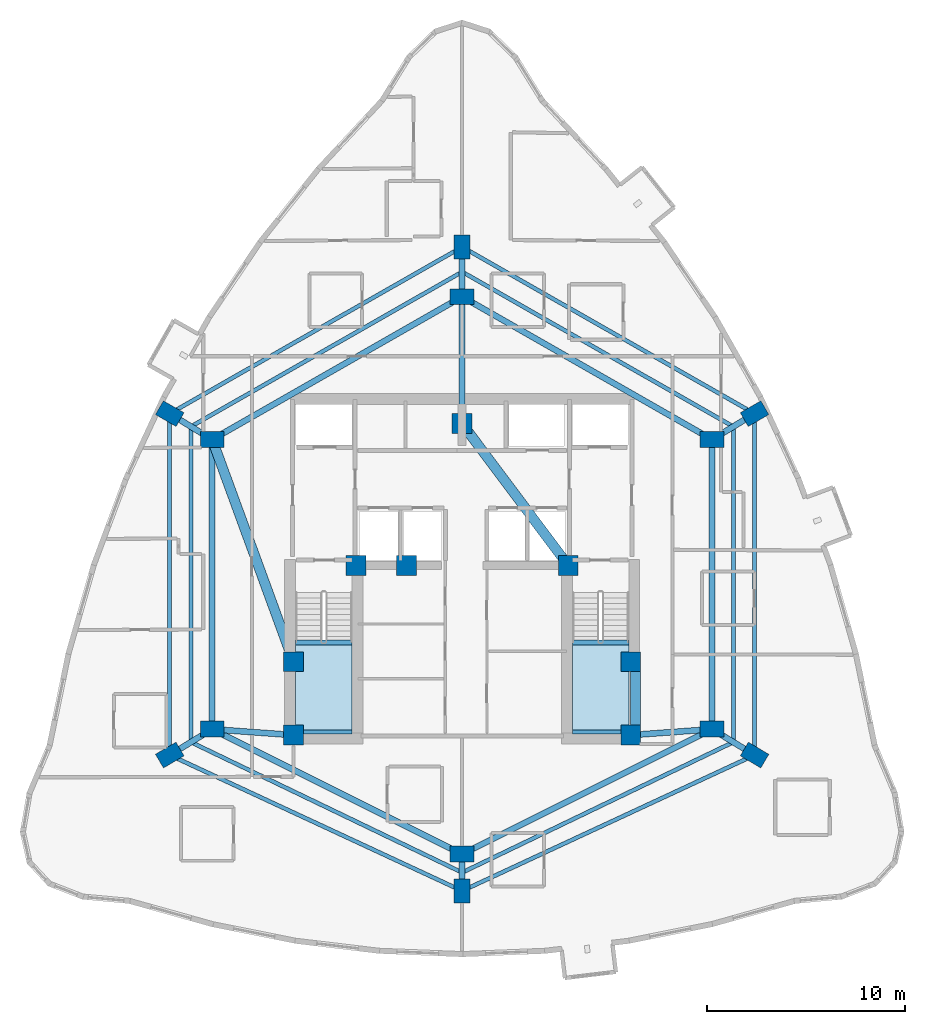
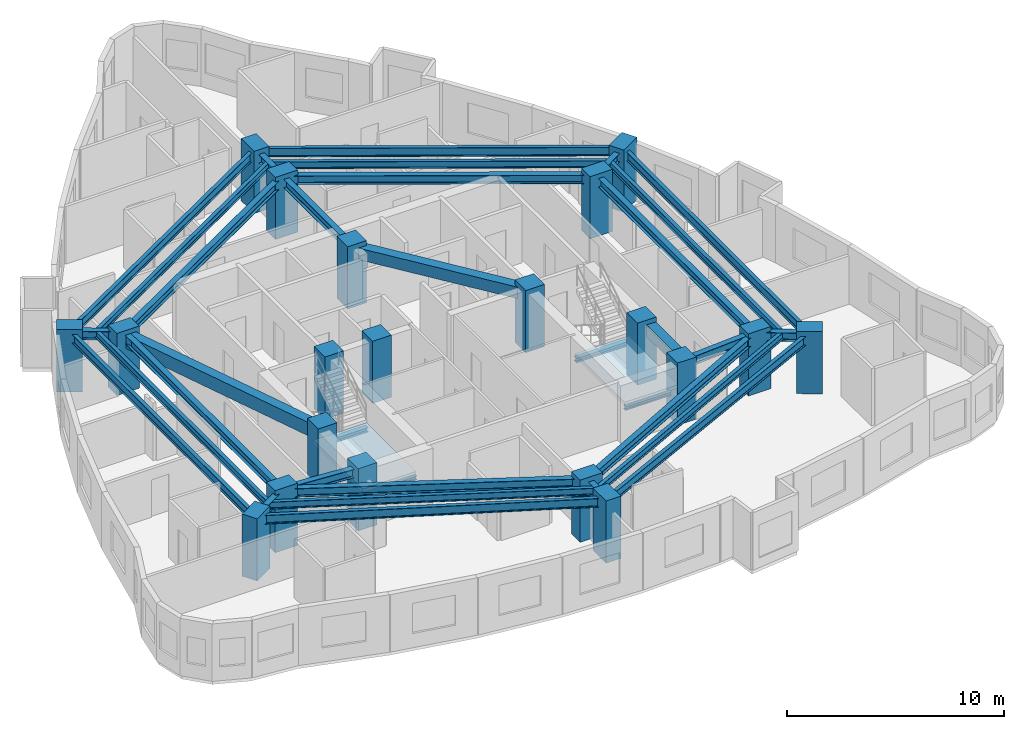
# One storey, part 1 of 12: 34 beams, 20 columns, 2 slabs, 2 elements without a shape of their own.
"""IFC4 building model written with IfcOpenShell, lengths in metres."""

from ifc_helpers import new_model, si_unit, direction, frame, origin, origin_2d, place, context, subcontext, project, spatial, polyline, rectangle, i_section, outline, extrude, material, layer, layer_set, material_profile, profile_set, type_object, element, aggregate, save


model = new_model("IFC4")

# Units and contexts
model_context = context("Model", 3, precision=1e-05, world=origin(), true_north=direction((0.0, 1.0)))
body_context = subcontext(model_context, "Body", "Model", "MODEL_VIEW")
ifc_project = project(units=[si_unit("LENGTHUNIT", "METRE"), si_unit("AREAUNIT", "SQUARE_METRE"), si_unit("VOLUMEUNIT", "CUBIC_METRE"), si_unit("PLANEANGLEUNIT", "RADIAN"), si_unit("MASSUNIT", "GRAM", prefix="KILO")], contexts=[model_context])

# Site, building, storey
site_placement = place(None, origin())
site = spatial("IfcSite", under=ifc_project, at=site_placement, CompositionType="ELEMENT")
building_placement = place(site_placement, origin())
building = spatial("IfcBuilding", under=site, at=building_placement, Name="Miruveldt Soraemaru", CompositionType="ELEMENT")
storey_placement = place(building_placement, frame((0.0, 0.0, 107.39990234375)))
storey = spatial("IfcBuildingStorey", under=building, at=storey_placement, Name="L29", CompositionType="ELEMENT", Elevation=107.39990234375)

# Columns
ifc_material_1 = material(Name="Concrete C60/75 (60 MPa)", Category="concrete")
ifc_material_profile_1 = material_profile(ifc_material_1, rectangle(XDim=1.0, YDim=1.0, at=origin_2d()), Name="Concrete C60/75 (60 MPa)", Category="concrete")
ifc_profile_set_1 = profile_set([ifc_material_profile_1], Name="Concrete C60/75 (60 MPa)")
column_type_1 = type_object("IfcColumnType", Name="COL-CORE-1000", PredefinedType="COLUMN", material=ifc_profile_set_1)
for number, where, z_axis, x_axis, name in (
    (1, (35.5, 35.5, 0.0), (0.0, 0.0, 1.0), (1.0, 0.0, 0.0), "L29 Structural Column CC1"),
    (2, (38.64990234375, 44.050048828125, 0.0), (0.0, 0.0, 1.0), (1.0, 0.0, 0.0), "L29 Structural Column CC2"),
    (3, (52.5, 35.5, 0.0), (0.0, 0.0, 1.0), (1.0, 0.0, 0.0), "L29 Structural Column CC3"),
    (4, (52.5, 39.199951171875, 0.0), (0.0, 0.0, 1.0), (1.0, 0.0, 0.0), "L29 Structural Column CC4"),
    (5, (49.35009765625, 44.050048828125, 0.0), (0.0, 0.0, 1.0), (1.0, 0.0, 0.0), "L29 Structural Column CC5"),
    (6, (44.0, 51.199951171875, 0.0), (0.0, 0.0, 1.0), (1.0, 0.0, 0.0), "L29 Structural Column CC6"),
    (7, (35.5, 39.199951171875, 0.0), (0.0, 0.0, 1.0), (1.0, 0.0, 0.0), "L29 Structural Column CC7"),
    (8, (41.199951171875, 44.050048828125, 0.0), (0.0, 0.0, 1.0), (1.0, 0.0, 0.0), "L29 Structural Column CC8"),
):
    element("IfcColumn", number, at=place(storey_placement, frame(where, z_axis=z_axis, x_axis=x_axis)), inside=storey, type_object=column_type_1, Name=name, PredefinedType="COLUMN", context=body_context, shape_type="SweptSolid", body=[
        extrude(rectangle(XDim=1.0, YDim=1.0, at=origin_2d()), origin(), (0.0, 0.0, 1.0), 3.5),
    ])
ifc_material_2 = material(Name="Concrete C70/85 (70 MPa)", Category="concrete")
ifc_material_profile_2 = material_profile(ifc_material_2, rectangle(XDim=1.199951171875, YDim=0.800048828125, at=origin_2d()), Name="Concrete C70/85 (70 MPa)", Category="concrete")
ifc_profile_set_2 = profile_set([ifc_material_profile_2], Name="Concrete C70/85 (70 MPa)")
column_type_2 = type_object("IfcColumnType", Name="COL-TW-Z2", PredefinedType="COLUMN", material=ifc_profile_set_2)
for number, where, z_axis, x_axis, name in (
    (9, (44.0, 57.60009765625, 0.0), (0.0, 0.0, 1.0), (1.0, 0.0, 0.0), "L29 Structural Column IR01"),
    (10, (56.60009765625, 50.39990234375, 0.0), (0.0, 0.0, 1.0), (1.0, 0.0, 0.0), "L29 Structural Column IR02"),
    (11, (56.60009765625, 35.800048828125, 0.0), (0.0, 0.0, 1.0), (1.0, 0.0, 0.0), "L29 Structural Column IR03"),
    (12, (44.0, 29.5, 0.0), (0.0, 0.0, 1.0), (1.0, 0.0, 0.0), "L29 Structural Column IR04"),
    (13, (31.39990234375, 35.800048828125, 0.0), (0.0, 0.0, 1.0), (1.0, 0.0, 0.0), "L29 Structural Column IR05"),
    (14, (31.39990234375, 50.39990234375, 0.0), (0.0, 0.0, 1.0), (1.0, 0.0, 0.0), "L29 Structural Column IR06"),
    (15, (44.0, 60.10595703125, 0.0), (0.0, 0.0, 1.0), (0.0, 1.0, 0.0), "L29 Structural Column Z2P01"),
    (16, (58.739990234375, 51.705078125, 0.0), (0.0, 0.0, 1.0), (0.866025403784, 0.5, 0.0), "L29 Structural Column Z2P02"),
    (17, (58.739990234375, 34.4951171875, 0.0), (0.0, 0.0, 1.0), (-0.860742027004, 0.50904141575, 0.0), "L29 Structural Column Z2P03"),
    (18, (44.0, 27.64697265625, 0.0), (0.0, 0.0, 1.0), (0.0, 1.0, 0.0), "L29 Structural Column Z2P04"),
    (19, (29.260009765625, 34.4951171875, 0.0), (0.0, 0.0, 1.0), (0.860742027004, 0.50904141575, 0.0), "L29 Structural Column Z2P05"),
    (20, (29.260009765625, 51.705078125, 0.0), (0.0, 0.0, 1.0), (-0.866025403784, 0.5, 0.0), "L29 Structural Column Z2P06"),
):
    element("IfcColumn", number, at=place(storey_placement, frame(where, z_axis=z_axis, x_axis=x_axis)), inside=storey, type_object=column_type_2, Name=name, PredefinedType="COLUMN", context=body_context, shape_type="SweptSolid", body=[
        extrude(rectangle(XDim=1.199951171875, YDim=0.800048828125, at=origin_2d()), origin(), (0.0, 0.0, 1.0), 3.5),
    ])

# Beams
ifc_material_3 = material(Name="Concrete C50/60 (50 MPa)", Category="concrete")
ifc_material_profile_3 = material_profile(ifc_material_3, rectangle(XDim=0.5, YDim=0.64990234375, at=origin_2d()), Name="Concrete C50/60 (50 MPa)", Category="concrete")
ifc_profile_set_3 = profile_set([ifc_material_profile_3], Name="Concrete C50/60 (50 MPa)")
beam_type_1 = type_object("IfcBeamType", Name="BM-RC-500x650", PredefinedType="BEAM", material=ifc_profile_set_3)
beam_1_placement = place(storey_placement, frame((52.72998046875, 35.5, 2.91015625), z_axis=(0.0, 1.0, 0.0), x_axis=(-1.0, 0.0, 0.0)))
element("IfcBeam", 21, at=beam_1_placement, inside=storey, type_object=beam_type_1, Name="L29 Core Tie Beam 3", PredefinedType="BEAM", context=body_context, shape_type="SweptSolid", body=[
    extrude(rectangle(XDim=0.5, YDim=0.64990234375, at=origin_2d()), origin(), (0.0, 0.0, 1.0), 3.699951171875),
])
beam_2_placement = place(storey_placement, frame((49.35009765625, 44.050048828125, 2.91015625), z_axis=(-0.599116023999, 0.800662219533, 0.0), x_axis=(-0.800662219533, -0.599116023999, 0.0)))
element("IfcBeam", 22, at=beam_2_placement, inside=storey, type_object=beam_type_1, Name="L29 Core Tie Beam 5", PredefinedType="BEAM", context=body_context, shape_type="SweptSolid", body=[
    extrude(rectangle(XDim=0.5, YDim=0.64990234375, at=origin_2d()), origin(), (0.0, 0.0, 1.0), 8.929931640625),
])
ifc_material_4 = material(Name="Concrete C40/50 (40 MPa)", Category="concrete")
ifc_material_profile_4 = material_profile(ifc_material_4, rectangle(XDim=0.5, YDim=0.75, at=origin_2d()), Name="Concrete C40/50 (40 MPa)", Category="concrete")
ifc_profile_set_4 = profile_set([ifc_material_profile_4], Name="Concrete C40/50 (40 MPa)")
beam_type_2 = type_object("IfcBeamType", Name="BM-RC-500x750", PredefinedType="LINTEL", material=ifc_profile_set_4)
beam_3_placement = place(storey_placement, frame((31.39990234375, 50.39990234375, 2.860107421875), z_axis=(0.343770424598, -0.939053723262, 0.0), x_axis=(0.939053723262, 0.343770424598, 0.0)))
element("IfcBeam", 23, at=beam_3_placement, inside=storey, type_object=beam_type_2, Name="L29 West Lobby Lintel", PredefinedType="LINTEL", context=body_context, shape_type="SweptSolid", body=[
    extrude(rectangle(XDim=0.5, YDim=0.75, at=origin_2d()), origin(), (0.0, 0.0, 1.0), 11.9267578125),
])
ifc_material_5 = material(Name="Steel SM355 (355 MPa)", Category="steel")
ifc_material_profile_5 = material_profile(ifc_material_5, i_section(OverallWidth=0.199951171875, OverallDepth=0.39990234375, WebThickness=0.008056640625, FlangeThickness=0.012939453125, FilletRadius=0.01611328125, at=origin_2d()), Name="Steel SM355 (355 MPa)", Category="steel")
ifc_profile_set_5 = profile_set([ifc_material_profile_5], Name="Steel SM355 (355 MPa)")
beam_type_3 = type_object("IfcBeamType", Name="BM-ST-H400", PredefinedType="JOIST", material=ifc_profile_set_5)
beam_4_placement = place(storey_placement, frame((44.0, 58.85302734375, 3.03515625), z_axis=(0.868539859756, -0.495619321672, 0.0), x_axis=(0.495619321672, 0.868539859756, 0.0)))
element("IfcBeam", 24, at=beam_4_placement, inside=storey, type_object=beam_type_3, Name="L29 Outer Bay Floor Joist 1", PredefinedType="JOIST", context=body_context, shape_type="SweptSolid", body=[
    extrude(i_section(OverallWidth=0.199951171875, OverallDepth=0.39990234375, WebThickness=0.008056640625, FlangeThickness=0.012939453125, FilletRadius=0.01611328125, at=origin_2d()), origin(), (0.0, 0.0, 1.0), 15.739013671875),
])
beam_5_placement = place(storey_placement, frame((57.669921875, 51.052490234375, 3.03515625), z_axis=(0.0, -1.0, 0.0), x_axis=(1.0, 0.0, 0.0)))
element("IfcBeam", 25, at=beam_5_placement, inside=storey, type_object=beam_type_3, Name="L29 Outer Bay Floor Joist 2", PredefinedType="JOIST", context=body_context, shape_type="SweptSolid", body=[
    extrude(i_section(OverallWidth=0.199951171875, OverallDepth=0.39990234375, WebThickness=0.008056640625, FlangeThickness=0.012939453125, FilletRadius=0.01611328125, at=origin_2d()), origin(), (0.0, 0.0, 1.0), 15.905029296875),
])
for number, where, z_axis, x_axis, name in (
    (26, (57.669921875, 35.1474609375, 3.03515625), (-0.901203586802, -0.433396002676, 0.0), (0.433396002676, -0.901203586802, 0.0), "L29 Outer Bay Floor Joist 3"),
    (27, (44.0, 28.573486328125, 3.03515625), (-0.901203586802, 0.433396002676, 0.0), (-0.433396002676, -0.901203586802, 0.0), "L29 Outer Bay Floor Joist 4"),
):
    element("IfcBeam", number, at=place(storey_placement, frame(where, z_axis=z_axis, x_axis=x_axis)), inside=storey, type_object=beam_type_3, Name=name, PredefinedType="JOIST", context=body_context, shape_type="SweptSolid", body=[
        extrude(i_section(OverallWidth=0.199951171875, OverallDepth=0.39990234375, WebThickness=0.008056640625, FlangeThickness=0.012939453125, FilletRadius=0.01611328125, at=origin_2d()), origin(), (0.0, 0.0, 1.0), 15.16845703125),
    ])
beam_6_placement = place(storey_placement, frame((30.330078125, 35.1474609375, 3.03515625), z_axis=(0.0, 1.0, 0.0), x_axis=(-1.0, 0.0, 0.0)))
element("IfcBeam", 28, at=beam_6_placement, inside=storey, type_object=beam_type_3, Name="L29 Outer Bay Floor Joist 5", PredefinedType="JOIST", context=body_context, shape_type="SweptSolid", body=[
    extrude(i_section(OverallWidth=0.199951171875, OverallDepth=0.39990234375, WebThickness=0.008056640625, FlangeThickness=0.012939453125, FilletRadius=0.01611328125, at=origin_2d()), origin(), (0.0, 0.0, 1.0), 15.905029296875),
])
beam_7_placement = place(storey_placement, frame((30.330078125, 51.052490234375, 3.03515625), z_axis=(0.868539859756, 0.495619321672, 0.0), x_axis=(-0.495619321672, 0.868539859756, 0.0)))
element("IfcBeam", 29, at=beam_7_placement, inside=storey, type_object=beam_type_3, Name="L29 Outer Bay Floor Joist 6", PredefinedType="JOIST", context=body_context, shape_type="SweptSolid", body=[
    extrude(i_section(OverallWidth=0.199951171875, OverallDepth=0.39990234375, WebThickness=0.008056640625, FlangeThickness=0.012939453125, FilletRadius=0.01611328125, at=origin_2d()), origin(), (0.0, 0.0, 1.0), 15.739013671875),
])
ifc_material_profile_6 = material_profile(ifc_material_5, i_section(OverallWidth=0.300048828125, OverallDepth=0.488037109375, WebThickness=0.010986328125, FlangeThickness=0.01806640625, FilletRadius=0.02587890625, at=origin_2d()), Name="Steel SM355 (355 MPa)", Category="steel")
ifc_profile_set_6 = profile_set([ifc_material_profile_6], Name="Steel SM355 (355 MPa)")
beam_type_4 = type_object("IfcBeamType", Name="BM-ST-H488", PredefinedType="BEAM", material=ifc_profile_set_6)
beam_8_placement = place(storey_placement, frame((44.0, 57.60009765625, 2.9912109375), z_axis=(0.868239001029, -0.496146185203, 0.0), x_axis=(0.496146185203, 0.868239001029, 0.0)))
element("IfcBeam", 30, at=beam_8_placement, inside=storey, type_object=beam_type_4, Name="L29 Inner Ring Girder 1", PredefinedType="BEAM", context=body_context, shape_type="SweptSolid", body=[
    extrude(i_section(OverallWidth=0.300048828125, OverallDepth=0.488037109375, WebThickness=0.010986328125, FlangeThickness=0.01806640625, FilletRadius=0.02587890625, at=origin_2d()), origin(), (0.0, 0.0, 1.0), 14.51220703125),
])
beam_9_placement = place(storey_placement, frame((44.0, 51.199951171875, 2.9912109375), z_axis=(0.0, 1.0, 0.0), x_axis=(-1.0, 0.0, 0.0)))
element("IfcBeam", 31, at=beam_9_placement, inside=storey, type_object=beam_type_4, Name="L29 Core-to-Inner Radial Girder 1", PredefinedType="BEAM", context=body_context, shape_type="SweptSolid", body=[
    extrude(i_section(OverallWidth=0.300048828125, OverallDepth=0.488037109375, WebThickness=0.010986328125, FlangeThickness=0.01806640625, FilletRadius=0.02587890625, at=origin_2d()), origin(), (0.0, 0.0, 1.0), 6.400146484375),
])
beam_10_placement = place(storey_placement, frame((56.60009765625, 50.39990234375, 2.9912109375), z_axis=(0.0, -1.0, 0.0), x_axis=(1.0, 0.0, 0.0)))
element("IfcBeam", 32, at=beam_10_placement, inside=storey, type_object=beam_type_4, Name="L29 Inner Ring Girder 2", PredefinedType="BEAM", context=body_context, shape_type="SweptSolid", body=[
    extrude(i_section(OverallWidth=0.300048828125, OverallDepth=0.488037109375, WebThickness=0.010986328125, FlangeThickness=0.01806640625, FilletRadius=0.02587890625, at=origin_2d()), origin(), (0.0, 0.0, 1.0), 14.599853515625),
])
beam_11_placement = place(storey_placement, frame((56.60009765625, 35.800048828125, 2.9912109375), z_axis=(-0.894427191, -0.4472135955, 0.0), x_axis=(0.4472135955, -0.894427191, 0.0)))
element("IfcBeam", 33, at=beam_11_placement, inside=storey, type_object=beam_type_4, Name="L29 Inner Ring Girder 3", PredefinedType="BEAM", context=body_context, shape_type="SweptSolid", body=[
    extrude(i_section(OverallWidth=0.300048828125, OverallDepth=0.488037109375, WebThickness=0.010986328125, FlangeThickness=0.01806640625, FilletRadius=0.02587890625, at=origin_2d()), origin(), (0.0, 0.0, 1.0), 14.08740234375),
])
beam_12_placement = place(storey_placement, frame((52.5, 35.5, 2.9912109375), z_axis=(0.997332985605, 0.072985723431, 0.0), x_axis=(-0.072985723431, 0.997332985605, 0.0)))
element("IfcBeam", 34, at=beam_12_placement, inside=storey, type_object=beam_type_4, Name="L29 Core-to-Inner Radial Girder 3", PredefinedType="BEAM", context=body_context, shape_type="SweptSolid", body=[
    extrude(i_section(OverallWidth=0.300048828125, OverallDepth=0.488037109375, WebThickness=0.010986328125, FlangeThickness=0.01806640625, FilletRadius=0.02587890625, at=origin_2d()), origin(), (0.0, 0.0, 1.0), 4.111083984375),
])
beam_13_placement = place(storey_placement, frame((44.0, 29.5, 2.9912109375), z_axis=(-0.894427191, 0.4472135955, 0.0), x_axis=(-0.4472135955, -0.894427191, 0.0)))
element("IfcBeam", 35, at=beam_13_placement, inside=storey, type_object=beam_type_4, Name="L29 Inner Ring Girder 4", PredefinedType="BEAM", context=body_context, shape_type="SweptSolid", body=[
    extrude(i_section(OverallWidth=0.300048828125, OverallDepth=0.488037109375, WebThickness=0.010986328125, FlangeThickness=0.01806640625, FilletRadius=0.02587890625, at=origin_2d()), origin(), (0.0, 0.0, 1.0), 14.08740234375),
])
beam_14_placement = place(storey_placement, frame((31.39990234375, 35.800048828125, 2.9912109375), z_axis=(0.0, 1.0, 0.0), x_axis=(-1.0, 0.0, 0.0)))
element("IfcBeam", 36, at=beam_14_placement, inside=storey, type_object=beam_type_4, Name="L29 Inner Ring Girder 5", PredefinedType="BEAM", context=body_context, shape_type="SweptSolid", body=[
    extrude(i_section(OverallWidth=0.300048828125, OverallDepth=0.488037109375, WebThickness=0.010986328125, FlangeThickness=0.01806640625, FilletRadius=0.02587890625, at=origin_2d()), origin(), (0.0, 0.0, 1.0), 14.599853515625),
])
beam_15_placement = place(storey_placement, frame((35.5, 35.5, 2.9912109375), z_axis=(-0.997332985605, 0.072985723431, 0.0), x_axis=(-0.072985723431, -0.997332985605, 0.0)))
element("IfcBeam", 37, at=beam_15_placement, inside=storey, type_object=beam_type_4, Name="L29 Core-to-Inner Radial Girder 5", PredefinedType="BEAM", context=body_context, shape_type="SweptSolid", body=[
    extrude(i_section(OverallWidth=0.300048828125, OverallDepth=0.488037109375, WebThickness=0.010986328125, FlangeThickness=0.01806640625, FilletRadius=0.02587890625, at=origin_2d()), origin(), (0.0, 0.0, 1.0), 4.111083984375),
])
beam_16_placement = place(storey_placement, frame((31.39990234375, 50.39990234375, 2.9912109375), z_axis=(0.868239001029, 0.496146185203, 0.0), x_axis=(-0.496146185203, 0.868239001029, 0.0)))
element("IfcBeam", 38, at=beam_16_placement, inside=storey, type_object=beam_type_4, Name="L29 Inner Ring Girder 6", PredefinedType="BEAM", context=body_context, shape_type="SweptSolid", body=[
    extrude(i_section(OverallWidth=0.300048828125, OverallDepth=0.488037109375, WebThickness=0.010986328125, FlangeThickness=0.01806640625, FilletRadius=0.02587890625, at=origin_2d()), origin(), (0.0, 0.0, 1.0), 14.51220703125),
])
beam_17_placement = place(storey_placement, frame((44.0, 57.60009765625, 2.9912109375), z_axis=(0.0, 1.0, 0.0), x_axis=(-1.0, 0.0, 0.0)))
element("IfcBeam", 39, at=beam_17_placement, inside=storey, type_object=beam_type_4, Name="L29 Zone-2 Radial Girder 1", PredefinedType="BEAM", context=body_context, shape_type="SweptSolid", body=[
    extrude(i_section(OverallWidth=0.300048828125, OverallDepth=0.488037109375, WebThickness=0.010986328125, FlangeThickness=0.01806640625, FilletRadius=0.02587890625, at=origin_2d()), origin(), (0.0, 0.0, 1.0), 2.505859375),
])
beam_18_placement = place(storey_placement, frame((56.60009765625, 50.39990234375, 2.9912109375), z_axis=(0.85373175529, 0.520713059188, 0.0), x_axis=(-0.520713059188, 0.85373175529, 0.0)))
element("IfcBeam", 40, at=beam_18_placement, inside=storey, type_object=beam_type_4, Name="L29 Zone-2 Radial Girder 2", PredefinedType="BEAM", context=body_context, shape_type="SweptSolid", body=[
    extrude(i_section(OverallWidth=0.300048828125, OverallDepth=0.488037109375, WebThickness=0.010986328125, FlangeThickness=0.01806640625, FilletRadius=0.02587890625, at=origin_2d()), origin(), (0.0, 0.0, 1.0), 2.506591796875),
])
beam_19_placement = place(storey_placement, frame((56.60009765625, 35.800048828125, 2.9912109375), z_axis=(0.853775054686, -0.5206420613, 0.0), x_axis=(0.5206420613, 0.853775054686, 0.0)))
element("IfcBeam", 41, at=beam_19_placement, inside=storey, type_object=beam_type_4, Name="L29 Zone-2 Radial Girder 3", PredefinedType="BEAM", context=body_context, shape_type="SweptSolid", body=[
    extrude(i_section(OverallWidth=0.300048828125, OverallDepth=0.488037109375, WebThickness=0.010986328125, FlangeThickness=0.01806640625, FilletRadius=0.02587890625, at=origin_2d()), origin(), (0.0, 0.0, 1.0), 2.50634765625),
])
beam_20_placement = place(storey_placement, frame((44.0, 29.5, 2.9912109375), z_axis=(0.0, -1.0, 0.0), x_axis=(1.0, 0.0, 0.0)))
element("IfcBeam", 42, at=beam_20_placement, inside=storey, type_object=beam_type_4, Name="L29 Zone-2 Radial Girder 4", PredefinedType="BEAM", context=body_context, shape_type="SweptSolid", body=[
    extrude(i_section(OverallWidth=0.300048828125, OverallDepth=0.488037109375, WebThickness=0.010986328125, FlangeThickness=0.01806640625, FilletRadius=0.02587890625, at=origin_2d()), origin(), (0.0, 0.0, 1.0), 1.85302734375),
])
beam_21_placement = place(storey_placement, frame((31.39990234375, 35.800048828125, 2.9912109375), z_axis=(-0.853775054686, -0.5206420613, 0.0), x_axis=(0.5206420613, -0.853775054686, 0.0)))
element("IfcBeam", 43, at=beam_21_placement, inside=storey, type_object=beam_type_4, Name="L29 Zone-2 Radial Girder 5", PredefinedType="BEAM", context=body_context, shape_type="SweptSolid", body=[
    extrude(i_section(OverallWidth=0.300048828125, OverallDepth=0.488037109375, WebThickness=0.010986328125, FlangeThickness=0.01806640625, FilletRadius=0.02587890625, at=origin_2d()), origin(), (0.0, 0.0, 1.0), 2.50634765625),
])
beam_22_placement = place(storey_placement, frame((31.39990234375, 50.39990234375, 2.9912109375), z_axis=(-0.85373175529, 0.520713059188, 0.0), x_axis=(-0.520713059188, -0.85373175529, 0.0)))
element("IfcBeam", 44, at=beam_22_placement, inside=storey, type_object=beam_type_4, Name="L29 Zone-2 Radial Girder 6", PredefinedType="BEAM", context=body_context, shape_type="SweptSolid", body=[
    extrude(i_section(OverallWidth=0.300048828125, OverallDepth=0.488037109375, WebThickness=0.010986328125, FlangeThickness=0.01806640625, FilletRadius=0.02587890625, at=origin_2d()), origin(), (0.0, 0.0, 1.0), 2.506591796875),
])
ifc_material_profile_7 = material_profile(ifc_material_5, i_section(OverallWidth=0.199951171875, OverallDepth=0.5, WebThickness=0.010009765625, FlangeThickness=0.01611328125, FilletRadius=0.02001953125, at=origin_2d()), Name="Steel SM355 (355 MPa)", Category="steel")
ifc_profile_set_7 = profile_set([ifc_material_profile_7], Name="Steel SM355 (355 MPa)")
beam_type_5 = type_object("IfcBeamType", Name="BM-ST-H500", PredefinedType="SPANDREL", material=ifc_profile_set_7)
beam_23_placement = place(storey_placement, frame((44.0, 60.10595703125, 2.985107421875), z_axis=(0.86880048516, -0.495162313778, 0.0), x_axis=(0.495162313778, 0.86880048516, 0.0)))
element("IfcBeam", 45, at=beam_23_placement, inside=storey, type_object=beam_type_5, Name="L29 Zone-2 Spandrel Beam 1", PredefinedType="SPANDREL", context=body_context, shape_type="SweptSolid", body=[
    extrude(i_section(OverallWidth=0.199951171875, OverallDepth=0.5, WebThickness=0.010009765625, FlangeThickness=0.01611328125, FilletRadius=0.02001953125, at=origin_2d()), origin(), (0.0, 0.0, 1.0), 16.9658203125),
])
beam_24_placement = place(storey_placement, frame((58.739990234375, 51.705078125, 2.985107421875), z_axis=(0.0, -1.0, 0.0), x_axis=(1.0, 0.0, 0.0)))
element("IfcBeam", 46, at=beam_24_placement, inside=storey, type_object=beam_type_5, Name="L29 Zone-2 Spandrel Beam 2", PredefinedType="SPANDREL", context=body_context, shape_type="SweptSolid", body=[
    extrude(i_section(OverallWidth=0.199951171875, OverallDepth=0.5, WebThickness=0.010009765625, FlangeThickness=0.01611328125, FilletRadius=0.02001953125, at=origin_2d()), origin(), (0.0, 0.0, 1.0), 17.2099609375),
])
for number, where, z_axis, x_axis, name in (
    (47, (58.739990234375, 34.4951171875, 2.985107421875), (-0.906901362829, -0.421342993414, 0.0), (0.421342993414, -0.906901362829, 0.0), "L29 Zone-2 Spandrel Beam 3"),
    (48, (44.0, 27.64697265625, 2.985107421875), (-0.906901362829, 0.421342993414, 0.0), (-0.421342993414, -0.906901362829, 0.0), "L29 Zone-2 Spandrel Beam 4"),
):
    element("IfcBeam", number, at=place(storey_placement, frame(where, z_axis=z_axis, x_axis=x_axis)), inside=storey, type_object=beam_type_5, Name=name, PredefinedType="SPANDREL", context=body_context, shape_type="SweptSolid", body=[
        extrude(i_section(OverallWidth=0.199951171875, OverallDepth=0.5, WebThickness=0.010009765625, FlangeThickness=0.01611328125, FilletRadius=0.02001953125, at=origin_2d()), origin(), (0.0, 0.0, 1.0), 16.253173828125),
    ])
beam_25_placement = place(storey_placement, frame((29.260009765625, 34.4951171875, 2.985107421875), z_axis=(0.0, 1.0, 0.0), x_axis=(-1.0, 0.0, 0.0)))
element("IfcBeam", 49, at=beam_25_placement, inside=storey, type_object=beam_type_5, Name="L29 Zone-2 Spandrel Beam 5", PredefinedType="SPANDREL", context=body_context, shape_type="SweptSolid", body=[
    extrude(i_section(OverallWidth=0.199951171875, OverallDepth=0.5, WebThickness=0.010009765625, FlangeThickness=0.01611328125, FilletRadius=0.02001953125, at=origin_2d()), origin(), (0.0, 0.0, 1.0), 17.2099609375),
])
beam_26_placement = place(storey_placement, frame((29.260009765625, 51.705078125, 2.985107421875), z_axis=(0.86880048516, 0.495162313778, 0.0), x_axis=(-0.495162313778, 0.86880048516, 0.0)))
element("IfcBeam", 50, at=beam_26_placement, inside=storey, type_object=beam_type_5, Name="L29 Zone-2 Spandrel Beam 6", PredefinedType="SPANDREL", context=body_context, shape_type="SweptSolid", body=[
    extrude(i_section(OverallWidth=0.199951171875, OverallDepth=0.5, WebThickness=0.010009765625, FlangeThickness=0.01611328125, FilletRadius=0.02001953125, at=origin_2d()), origin(), (0.0, 0.0, 1.0), 16.9658203125),
])
ifc_material_profile_8 = material_profile(ifc_material_5, i_section(OverallWidth=0.199951171875, OverallDepth=0.199951171875, WebThickness=0.008056640625, FlangeThickness=0.011962890625, FilletRadius=0.012939453125, at=origin_2d()), Name="Steel SM355 (355 MPa)", Category="steel")
ifc_profile_set_8 = profile_set([ifc_material_profile_8], Name="Steel SM355 (355 MPa)")
beam_type_6 = type_object("IfcBeamType", Name="BM-ST-LND200", PredefinedType="BEAM", material=ifc_profile_set_8)
for number, where, z_axis, x_axis, name in (
    (51, (35.60009765625, 35.64990234375, 1.4501953125), (1.0, 0.0, 0.0), (0.0, 1.0, 0.0), "L29 ST1 Landing End Beam 1B"),
    (52, (49.550048828125, 35.64990234375, 1.4501953125), (1.0, 0.0, 0.0), (0.0, 1.0, 0.0), "L29 ST2 Landing End Beam 1B"),
):
    element("IfcBeam", number, at=place(storey_placement, frame(where, z_axis=z_axis, x_axis=x_axis)), inside=storey, type_object=beam_type_6, Name=name, PredefinedType="BEAM", context=body_context, shape_type="SweptSolid", body=[
        extrude(i_section(OverallWidth=0.199951171875, OverallDepth=0.199951171875, WebThickness=0.008056640625, FlangeThickness=0.011962890625, FilletRadius=0.012939453125, at=origin_2d()), origin(), (0.0, 0.0, 1.0), 2.849853515625),
    ])
ifc_material_profile_9 = material_profile(ifc_material_5, i_section(OverallWidth=0.25, OverallDepth=0.25, WebThickness=0.009033203125, FlangeThickness=0.013916015625, FilletRadius=0.01611328125, at=origin_2d()), Name="Steel SM355 (355 MPa)", Category="steel")
ifc_profile_set_9 = profile_set([ifc_material_profile_9], Name="Steel SM355 (355 MPa)")
beam_type_7 = type_object("IfcBeamType", Name="BM-ST-LND250", PredefinedType="BEAM", material=ifc_profile_set_9)
for number, where, z_axis, x_axis, name in (
    (53, (35.60009765625, 40.179931640625, 1.425048828125), (1.0, 0.0, 0.0), (0.0, 1.0, 0.0), "L29 ST1 Landing Support Beam 1A"),
    (54, (49.550048828125, 40.179931640625, 1.425048828125), (1.0, 0.0, 0.0), (0.0, 1.0, 0.0), "L29 ST2 Landing Support Beam 1A"),
):
    element("IfcBeam", number, at=place(storey_placement, frame(where, z_axis=z_axis, x_axis=x_axis)), inside=storey, type_object=beam_type_7, Name=name, PredefinedType="BEAM", context=body_context, shape_type="SweptSolid", body=[
        extrude(i_section(OverallWidth=0.25, OverallDepth=0.25, WebThickness=0.009033203125, FlangeThickness=0.013916015625, FilletRadius=0.01611328125, at=origin_2d()), origin(), (0.0, 0.0, 1.0), 2.849853515625),
    ])

# Stair, slab
stair_type = type_object("IfcStairType", Name="STAIR-DL-350", PredefinedType="HALF_TURN_STAIR", material=ifc_material_4)
stair_1_placement = place(storey_placement, origin())
stair_1 = element("IfcStair", 55, at=stair_1_placement, inside=storey, type_object=stair_type, Name="L29 Protected Exit Stair ST-1", PredefinedType="HALF_TURN_STAIR")
ifc_layer = layer(ifc_material_4, 0.199951171875, Name="Concrete C40/50 (40 MPa)", Category="concrete")
ifc_layer_set = layer_set([ifc_layer], Name="Concrete C40/50 (40 MPa)")
slab_type = type_object("IfcSlabType", Name="SLAB-LAND-200", PredefinedType="LANDING", material=ifc_layer_set)
slab_1_placement = place(storey_placement, frame((0.0, 0.0, 1.550048828125)))
slab_1 = element("IfcSlab", 56, at=slab_1_placement, type_object=slab_type, Name="ST-1 landing 1", PredefinedType="LANDING", context=body_context, shape_type="SweptSolid", body=[
    extrude(outline(polyline([(35.60009765625, 40.197998046875), (35.60009765625, 35.64990234375), (38.449951171875, 35.64990234375), (38.449951171875, 40.197998046875), (35.60009765625, 40.197998046875)])), origin(), (0.0, 0.0, 1.0), 0.199951171875),
])
aggregate(stair_1, [slab_1])

stair_2_placement = place(storey_placement, origin())
stair_2 = element("IfcStair", 57, at=stair_2_placement, inside=storey, type_object=stair_type, Name="L29 Protected Exit Stair ST-2", PredefinedType="HALF_TURN_STAIR")
slab_2_placement = place(storey_placement, frame((0.0, 0.0, 1.550048828125)))
slab_2 = element("IfcSlab", 58, at=slab_2_placement, type_object=slab_type, Name="ST-2 landing 1", PredefinedType="LANDING", context=body_context, shape_type="SweptSolid", body=[
    extrude(outline(polyline([(49.550048828125, 40.197998046875), (49.550048828125, 35.64990234375), (52.39990234375, 35.64990234375), (52.39990234375, 40.197998046875), (49.550048828125, 40.197998046875)])), origin(), (0.0, 0.0, 1.0), 0.199951171875),
])
aggregate(stair_2, [slab_2])

save(model, "model.ifc")
